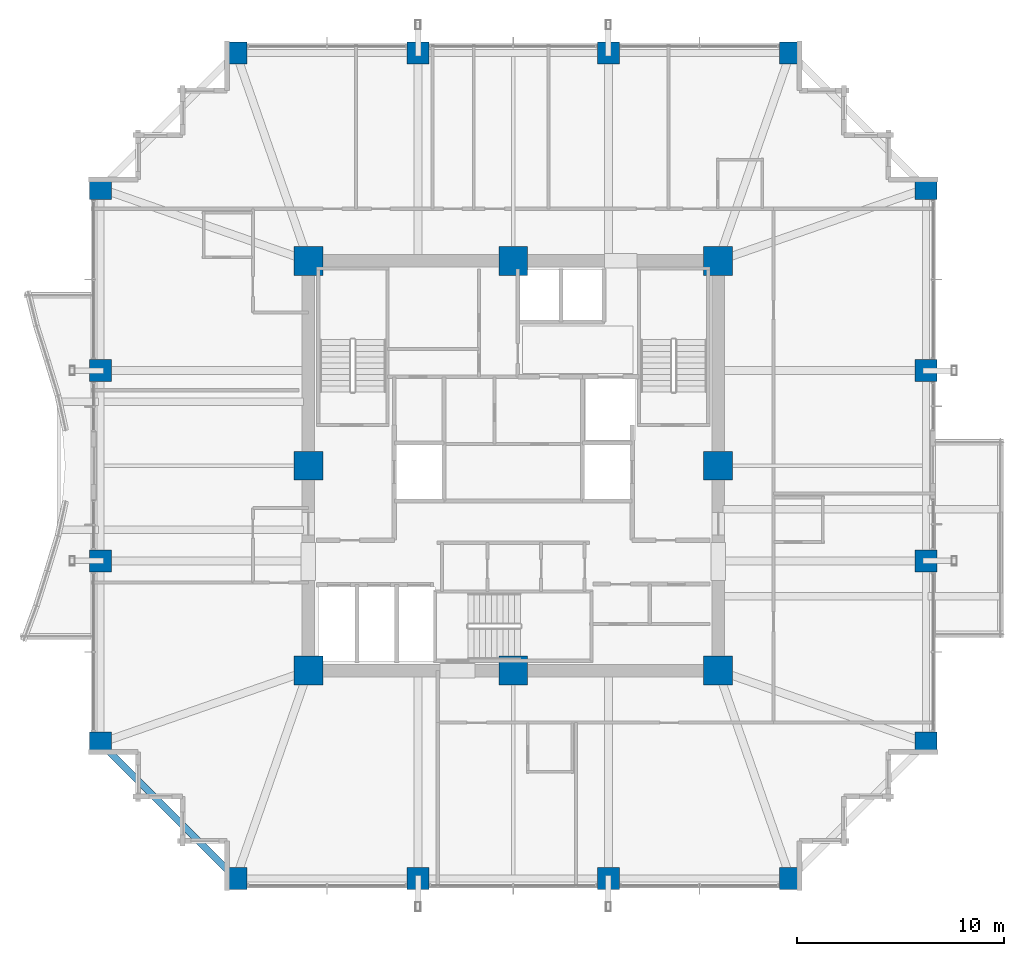
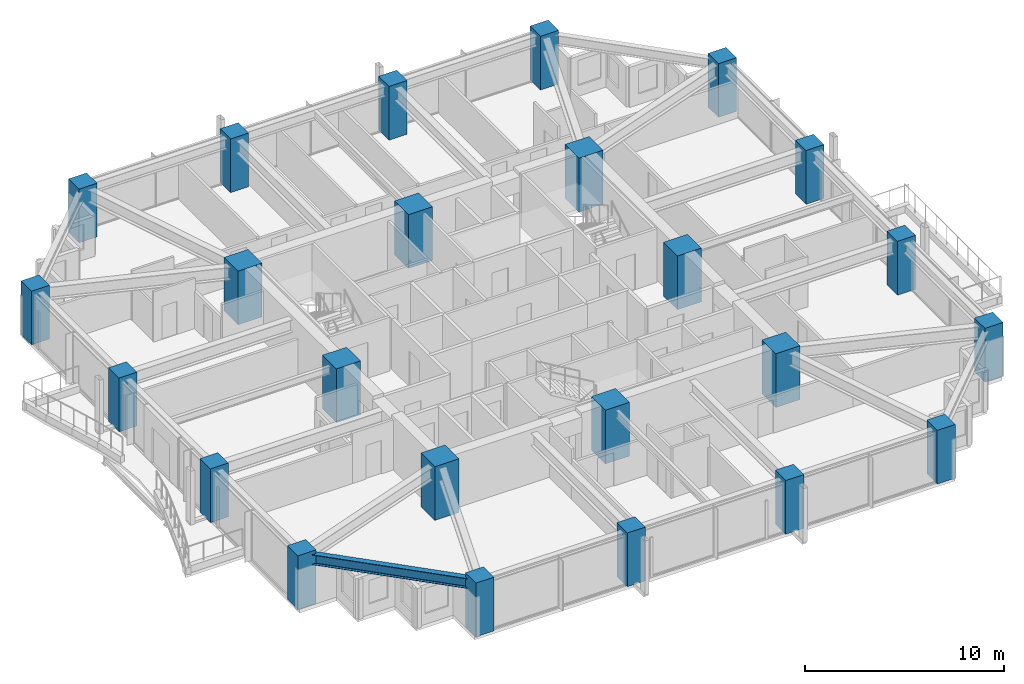
# One storey, part 1 of 37: 24 columns, 1 beam.
"""IFC4 building model written with IfcOpenShell, lengths in metres."""

from ifc_helpers import new_model, si_unit, direction, frame, origin, origin_2d, place, context, subcontext, project, spatial, rectangle, i_section, extrude, material, material_profile, profile_set, type_object, element, save


model = new_model("IFC4")

# Units and contexts
model_context = context("Model", 3, precision=1e-05, world=origin(), true_north=direction((0.0, 1.0)))
body_context = subcontext(model_context, "Body", "Model", "MODEL_VIEW")
ifc_project = project(units=[si_unit("LENGTHUNIT", "METRE"), si_unit("AREAUNIT", "SQUARE_METRE"), si_unit("VOLUMEUNIT", "CUBIC_METRE"), si_unit("PLANEANGLEUNIT", "RADIAN"), si_unit("MASSUNIT", "GRAM", prefix="KILO")], contexts=[model_context])

# Site, building, storey
site_placement = place(None, origin())
site = spatial("IfcSite", under=ifc_project, at=site_placement, CompositionType="ELEMENT")
building_placement = place(site_placement, origin())
building = spatial("IfcBuilding", under=site, at=building_placement, Name="Kolvaren Belvedere", CompositionType="ELEMENT")
storey_placement = place(building_placement, frame((0.0, 0.0, 82.10009765625)))
storey = spatial("IfcBuildingStorey", under=building, at=storey_placement, Name="L23", CompositionType="ELEMENT", Elevation=82.10009765625)

# Columns
ifc_material_1 = material(Name="Concrete C50/60", Category="concrete")
ifc_material_profile_1 = material_profile(ifc_material_1, rectangle(XDim=1.050048828125, YDim=1.050048828125, at=origin_2d()), Name="RC 1050X1050")
ifc_profile_set_1 = profile_set([ifc_material_profile_1], Name="Concrete C50/60")
column_type_1 = type_object("IfcColumnType", Name="COL-RC-1050", PredefinedType="COLUMN", material=ifc_profile_set_1)
for number, where, z_axis, x_axis, name in (
    (1, (-13.39990234375, -19.949951171875, 0.0), (0.0, 0.0, 1.0), (1.0, 0.0, 0.0), "L23 Perimeter Column S1"),
    (2, (-4.60009765625, -19.949951171875, 0.0), (0.0, 0.0, 1.0), (1.0, 0.0, 0.0), "L23 Perimeter Column S2"),
    (3, (4.60009765625, -19.949951171875, 0.0), (0.0, 0.0, 1.0), (1.0, 0.0, 0.0), "L23 Perimeter Column S3"),
    (4, (13.39990234375, -19.949951171875, 0.0), (0.0, 0.0, 1.0), (1.0, 0.0, 0.0), "L23 Perimeter Column S4"),
    (5, (-13.39990234375, 19.949951171875, 0.0), (0.0, 0.0, 1.0), (1.0, 0.0, 0.0), "L23 Perimeter Column N1"),
    (6, (-4.60009765625, 19.949951171875, 0.0), (0.0, 0.0, 1.0), (1.0, 0.0, 0.0), "L23 Perimeter Column N2"),
    (7, (4.60009765625, 19.949951171875, 0.0), (0.0, 0.0, 1.0), (1.0, 0.0, 0.0), "L23 Perimeter Column N3"),
    (8, (13.39990234375, 19.949951171875, 0.0), (0.0, 0.0, 1.0), (1.0, 0.0, 0.0), "L23 Perimeter Column N4"),
    (9, (-19.949951171875, -13.39990234375, 0.0), (0.0, 0.0, 1.0), (1.0, 0.0, 0.0), "L23 Perimeter Column W1"),
    (10, (-19.949951171875, -4.60009765625, 0.0), (0.0, 0.0, 1.0), (1.0, 0.0, 0.0), "L23 Perimeter Column W2"),
    (11, (-19.949951171875, 4.60009765625, 0.0), (0.0, 0.0, 1.0), (1.0, 0.0, 0.0), "L23 Perimeter Column W3"),
    (12, (-19.949951171875, 13.39990234375, 0.0), (0.0, 0.0, 1.0), (1.0, 0.0, 0.0), "L23 Perimeter Column W4"),
    (13, (19.949951171875, -13.39990234375, 0.0), (0.0, 0.0, 1.0), (1.0, 0.0, 0.0), "L23 Perimeter Column E1"),
    (14, (19.949951171875, -4.60009765625, 0.0), (0.0, 0.0, 1.0), (1.0, 0.0, 0.0), "L23 Perimeter Column E2"),
    (15, (19.949951171875, 4.60009765625, 0.0), (0.0, 0.0, 1.0), (1.0, 0.0, 0.0), "L23 Perimeter Column E3"),
    (16, (19.949951171875, 13.39990234375, 0.0), (0.0, 0.0, 1.0), (1.0, 0.0, 0.0), "L23 Perimeter Column E4"),
):
    element("IfcColumn", number, at=place(storey_placement, frame(where, z_axis=z_axis, x_axis=x_axis)), inside=storey, type_object=column_type_1, Name=name, PredefinedType="COLUMN", context=body_context, shape_type="SweptSolid", body=[
        extrude(rectangle(XDim=1.050048828125, YDim=1.050048828125, at=origin_2d()), origin(), (0.0, 0.0, 1.0), 3.2998046875),
    ])
ifc_material_2 = material(Name="Concrete C60/75", Category="concrete")
ifc_material_profile_2 = material_profile(ifc_material_2, rectangle(XDim=1.39990234375, YDim=1.39990234375, at=origin_2d()), Name="RC 1400X1400")
ifc_profile_set_2 = profile_set([ifc_material_profile_2], Name="Concrete C60/75")
column_type_2 = type_object("IfcColumnType", Name="COL-RC-1400", PredefinedType="COLUMN", material=ifc_profile_set_2)
for number, where, z_axis, x_axis, name in (
    (17, (-9.89990234375, -9.89990234375, 0.0), (0.0, 0.0, 1.0), (1.0, 0.0, 0.0), "L23 Core Column CC1"),
    (18, (9.89990234375, -9.89990234375, 0.0), (0.0, 0.0, 1.0), (1.0, 0.0, 0.0), "L23 Core Column CC2"),
    (19, (9.89990234375, 9.89990234375, 0.0), (0.0, 0.0, 1.0), (1.0, 0.0, 0.0), "L23 Core Column CC3"),
    (20, (-9.89990234375, 9.89990234375, 0.0), (0.0, 0.0, 1.0), (1.0, 0.0, 0.0), "L23 Core Column CC4"),
    (21, (0.0, -9.89990234375, 0.0), (0.0, 0.0, 1.0), (1.0, 0.0, 0.0), "L23 Core Column CM1"),
    (22, (9.89990234375, 0.0, 0.0), (0.0, 0.0, 1.0), (1.0, 0.0, 0.0), "L23 Core Column CM2"),
    (23, (0.0, 9.89990234375, 0.0), (0.0, 0.0, 1.0), (1.0, 0.0, 0.0), "L23 Core Column CM3"),
    (24, (-9.89990234375, 0.0, 0.0), (0.0, 0.0, 1.0), (1.0, 0.0, 0.0), "L23 Core Column CM4"),
):
    element("IfcColumn", number, at=place(storey_placement, frame(where, z_axis=z_axis, x_axis=x_axis)), inside=storey, type_object=column_type_2, Name=name, PredefinedType="COLUMN", context=body_context, shape_type="SweptSolid", body=[
        extrude(rectangle(XDim=1.39990234375, YDim=1.39990234375, at=origin_2d()), origin(), (0.0, 0.0, 1.0), 3.2998046875),
    ])

# Beam
ifc_material_3 = material(Name="Structural steel ASTM A992 Grade 50", Category="steel")
ifc_material_profile_3 = material_profile(ifc_material_3, i_section(OverallWidth=0.324951171875, OverallDepth=0.615966796875, WebThickness=0.013916015625, FlangeThickness=0.021484375, FilletRadius=0.02001953125, at=origin_2d()), Name="W24X117")
ifc_profile_set_3 = profile_set([ifc_material_profile_3], Name="Structural steel ASTM A992 Grade 50")
beam_type = type_object("IfcBeamType", Name="BM-SPAN-W24X117", PredefinedType="SPANDREL", material=ifc_profile_set_3)
beam_placement = place(storey_placement, frame((-19.782958984375, -13.567138671875, 2.77197265625), z_axis=(0.707106781187, -0.707106781187, 0.0), x_axis=(0.707106781187, 0.707106781187, 0.0)))
element("IfcBeam", 25, at=beam_placement, inside=storey, type_object=beam_type, Name="L23 Perimeter Spandrel W1-S1", PredefinedType="SPANDREL", context=body_context, shape_type="SweptSolid", body=[
    extrude(i_section(OverallWidth=0.324951171875, OverallDepth=0.615966796875, WebThickness=0.013916015625, FlangeThickness=0.021484375, FilletRadius=0.02001953125, at=origin_2d()), origin(), (0.0, 0.0, 1.0), 8.79052734375),
])

save(model, "model.ifc")
